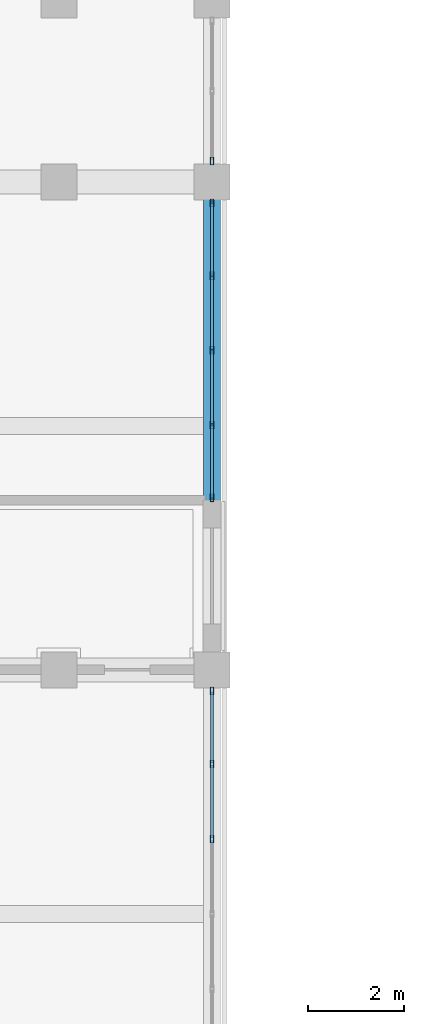
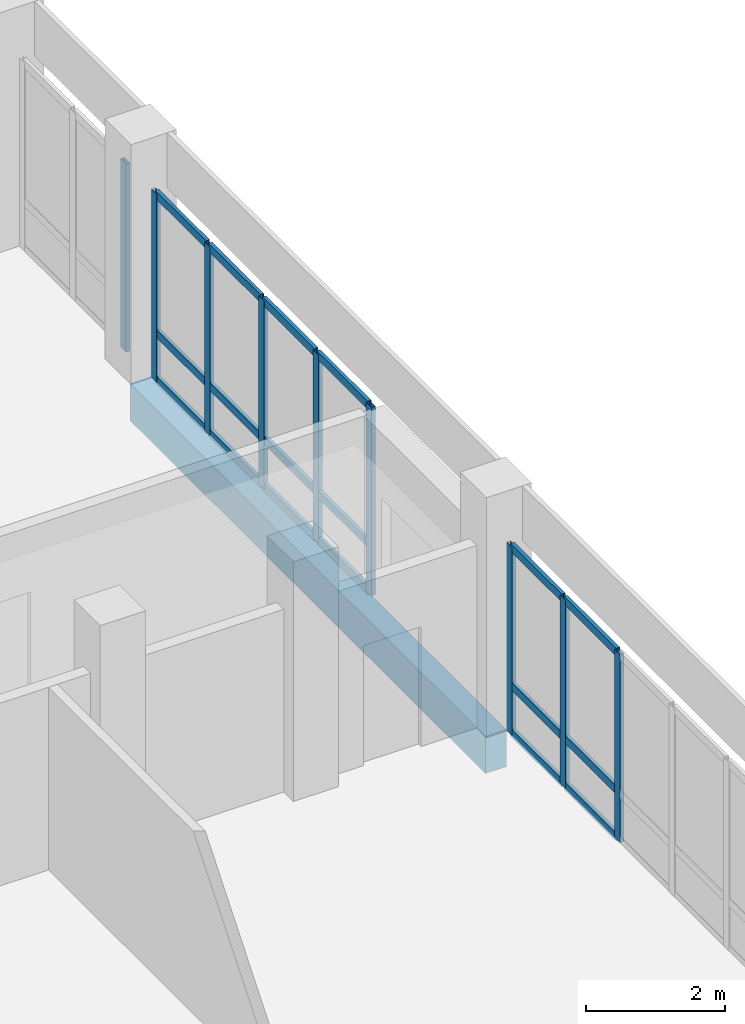
# One storey, part 24 of 170: 27 members, 1 beam, 3 elements without a shape of their own.
"""IFC4 building model written with IfcOpenShell, lengths in metres."""

from ifc_helpers import new_model, si_unit, direction, frame, origin, origin_2d, place, context, subcontext, project, spatial, rectangle, hollow_rectangle, extrude, material, material_profile, profile_set, type_object, element, aggregate, save


model = new_model("IFC4")

# Units and contexts
model_context = context("Model", 3, precision=1e-05, world=origin(), true_north=direction((0.0, 1.0)))
body_context = subcontext(model_context, "Body", "Model", "MODEL_VIEW")
ifc_project = project(units=[si_unit("LENGTHUNIT", "METRE"), si_unit("AREAUNIT", "SQUARE_METRE"), si_unit("VOLUMEUNIT", "CUBIC_METRE"), si_unit("PLANEANGLEUNIT", "RADIAN"), si_unit("MASSUNIT", "GRAM", prefix="KILO")], contexts=[model_context])

# Site, building, storey
site_placement = place(None, origin())
site = spatial("IfcSite", under=ifc_project, at=site_placement, CompositionType="ELEMENT")
building_placement = place(site_placement, origin())
building = spatial("IfcBuilding", under=site, at=building_placement, Name="Vondelvale Polytechnic", CompositionType="ELEMENT")
storey_placement = place(building_placement, frame((0.0, 0.0, 5.39990234375)))
storey = spatial("IfcBuildingStorey", under=building, at=storey_placement, Name="L01", CompositionType="ELEMENT", Elevation=5.39990234375)

# Curtain wall, members
ifc_material_1 = material(Name="Anodised extruded aluminium 6063-T6", Category="aluminium")
curtain_wall_type = type_object("IfcCurtainWallType", Name="CW-STUDIO-NORTH", PredefinedType="NOTDEFINED", material=ifc_material_1)
curtain_wall_1_placement = place(storey_placement, origin())
curtain_wall_1 = element("IfcCurtainWall", 1, at=curtain_wall_1_placement, inside=storey, type_object=curtain_wall_type, Name="L01 architectural curtain wall CW-01-008", PredefinedType="NOTDEFINED")
ifc_material_profile_1 = material_profile(ifc_material_1, hollow_rectangle(XDim=0.06494140625, YDim=0.159912109375, WallThickness=0.0048828125, at=origin_2d()), Name="CW-MUL-160x65")
ifc_profile_set_1 = profile_set([ifc_material_profile_1], Name="Anodised extruded aluminium 6063-T6")
member_type_1 = type_object("IfcMemberType", Name="CW-MUL-65x160", PredefinedType="MULLION", material=ifc_profile_set_1)
member_1_placement = place(storey_placement, frame((48.0, 16.864990234375, 0.0), z_axis=(0.0, 0.0, 1.0), x_axis=(-1.0, 0.0, 0.0)))
member_1 = element("IfcMember", 2, at=member_1_placement, type_object=member_type_1, Name="CW-01-008 mullion 5", PredefinedType="MULLION", context=body_context, shape_type="SweptSolid", body=[
    extrude(hollow_rectangle(XDim=0.06494140625, YDim=0.159912109375, WallThickness=0.0048828125, at=origin_2d()), origin(), (0.0, 0.0, 1.0), 3.300048828125),
])
member_2_placement = place(storey_placement, frame((48.0, 18.429931640625, 0.0), z_axis=(0.0, 0.0, 1.0), x_axis=(-1.0, 0.0, 0.0)))
member_2 = element("IfcMember", 3, at=member_2_placement, type_object=member_type_1, Name="CW-01-008 mullion 6", PredefinedType="MULLION", context=body_context, shape_type="SweptSolid", body=[
    extrude(hollow_rectangle(XDim=0.06494140625, YDim=0.159912109375, WallThickness=0.0048828125, at=origin_2d()), origin(), (0.0, 0.0, 1.0), 3.300048828125),
])
member_3_placement = place(storey_placement, frame((48.0, 19.96240234375, 0.0), z_axis=(0.0, 0.0, 1.0), x_axis=(-1.0, 0.0, 0.0)))
member_3 = element("IfcMember", 4, at=member_3_placement, type_object=member_type_1, Name="CW-01-008 mullion 7", PredefinedType="MULLION", context=body_context, shape_type="SweptSolid", body=[
    extrude(hollow_rectangle(XDim=0.06494140625, YDim=0.159912109375, WallThickness=0.0048828125, at=origin_2d()), origin(), (0.0, 0.0, 1.0), 3.300048828125),
])

curtain_wall_2_placement = place(storey_placement, origin())
curtain_wall_2 = element("IfcCurtainWall", 5, at=curtain_wall_2_placement, inside=storey, type_object=curtain_wall_type, Name="L01 architectural curtain wall CW-01-009", PredefinedType="NOTDEFINED")
member_4_placement = place(storey_placement, frame((48.0, 23.99755859375, 0.0), z_axis=(0.0, 0.0, 1.0), x_axis=(-1.0, 0.0, 0.0)))
member_4 = element("IfcMember", 6, at=member_4_placement, type_object=member_type_1, Name="CW-01-009 mullion 1", PredefinedType="MULLION", context=body_context, shape_type="SweptSolid", body=[
    extrude(hollow_rectangle(XDim=0.06494140625, YDim=0.159912109375, WallThickness=0.0048828125, at=origin_2d()), origin(), (0.0, 0.0, 1.0), 3.300048828125),
])
member_5_placement = place(storey_placement, frame((48.0, 25.5224609375, 0.0), z_axis=(0.0, 0.0, 1.0), x_axis=(-1.0, 0.0, 0.0)))
member_5 = element("IfcMember", 7, at=member_5_placement, type_object=member_type_1, Name="CW-01-009 mullion 2", PredefinedType="MULLION", context=body_context, shape_type="SweptSolid", body=[
    extrude(hollow_rectangle(XDim=0.06494140625, YDim=0.159912109375, WallThickness=0.0048828125, at=origin_2d()), origin(), (0.0, 0.0, 1.0), 3.300048828125),
])
member_6_placement = place(storey_placement, frame((48.0, 27.080078125, 0.0), z_axis=(0.0, 0.0, 1.0), x_axis=(-1.0, 0.0, 0.0)))
member_6 = element("IfcMember", 8, at=member_6_placement, type_object=member_type_1, Name="CW-01-009 mullion 3", PredefinedType="MULLION", context=body_context, shape_type="SweptSolid", body=[
    extrude(hollow_rectangle(XDim=0.06494140625, YDim=0.159912109375, WallThickness=0.0048828125, at=origin_2d()), origin(), (0.0, 0.0, 1.0), 3.300048828125),
])
member_7_placement = place(storey_placement, frame((48.0, 28.637451171875, 0.0), z_axis=(0.0, 0.0, 1.0), x_axis=(-1.0, 0.0, 0.0)))
member_7 = element("IfcMember", 9, at=member_7_placement, type_object=member_type_1, Name="CW-01-009 mullion 4", PredefinedType="MULLION", context=body_context, shape_type="SweptSolid", body=[
    extrude(hollow_rectangle(XDim=0.06494140625, YDim=0.159912109375, WallThickness=0.0048828125, at=origin_2d()), origin(), (0.0, 0.0, 1.0), 3.300048828125),
])
member_8_placement = place(storey_placement, frame((48.0, 30.16259765625, 0.0), z_axis=(0.0, 0.0, 1.0), x_axis=(-1.0, 0.0, 0.0)))
member_8 = element("IfcMember", 10, at=member_8_placement, type_object=member_type_1, Name="CW-01-009 mullion 5", PredefinedType="MULLION", context=body_context, shape_type="SweptSolid", body=[
    extrude(hollow_rectangle(XDim=0.06494140625, YDim=0.159912109375, WallThickness=0.0048828125, at=origin_2d()), origin(), (0.0, 0.0, 1.0), 3.300048828125),
])

# Curtain wall, member
curtain_wall_3_placement = place(storey_placement, origin())
curtain_wall_3 = element("IfcCurtainWall", 11, at=curtain_wall_3_placement, inside=storey, type_object=curtain_wall_type, Name="L01 architectural curtain wall CW-01-010", PredefinedType="NOTDEFINED")
member_9_placement = place(storey_placement, frame((48.0, 31.03759765625, 0.0), z_axis=(0.0, 0.0, 1.0), x_axis=(-1.0, 0.0, 0.0)))
member_9 = element("IfcMember", 12, at=member_9_placement, type_object=member_type_1, Name="CW-01-010 mullion 1", PredefinedType="MULLION", context=body_context, shape_type="SweptSolid", body=[
    extrude(hollow_rectangle(XDim=0.06494140625, YDim=0.159912109375, WallThickness=0.0048828125, at=origin_2d()), origin(), (0.0, 0.0, 1.0), 3.300048828125),
])
aggregate(curtain_wall_3, [member_9])

# Member
ifc_material_profile_2 = material_profile(ifc_material_1, hollow_rectangle(XDim=0.06005859375, YDim=0.139892578125, WallThickness=0.00341796875, at=origin_2d()), Name="CW-TRN-140x60")
ifc_profile_set_2 = profile_set([ifc_material_profile_2], Name="Anodised extruded aluminium 6063-T6")
member_type_2 = type_object("IfcMemberType", Name="CW-TRN-60x140", PredefinedType="USERDEFINED", material=ifc_profile_set_2)
member_10_placement = place(storey_placement, frame((48.0, 16.8974609375, 0.030029296875), z_axis=(0.0, 1.0, 0.0), x_axis=(-1.0, 0.0, 0.0)))
member_10 = element("IfcMember", 13, at=member_10_placement, type_object=member_type_2, Name="CW-01-008 transom 5.1", ObjectType="TRANSOM", PredefinedType="USERDEFINED", context=body_context, shape_type="SweptSolid", body=[
    extrude(hollow_rectangle(XDim=0.06005859375, YDim=0.139892578125, WallThickness=0.00341796875, at=origin_2d()), origin(), (0.0, 0.0, 1.0), 1.5),
])

member_11_placement = place(storey_placement, frame((48.0, 16.8974609375, 0.85009765625), z_axis=(0.0, 1.0, 0.0), x_axis=(-1.0, 0.0, 0.0)))
member_11 = element("IfcMember", 14, at=member_11_placement, type_object=member_type_2, Name="CW-01-008 transom 5.2", ObjectType="TRANSOM", PredefinedType="USERDEFINED", context=body_context, shape_type="SweptSolid", body=[
    extrude(hollow_rectangle(XDim=0.06005859375, YDim=0.139892578125, WallThickness=0.00341796875, at=origin_2d()), origin(), (0.0, 0.0, 1.0), 1.5),
])

member_12_placement = place(storey_placement, frame((48.0, 16.8974609375, 3.27001953125), z_axis=(0.0, 1.0, 0.0), x_axis=(-1.0, 0.0, 0.0)))
member_12 = element("IfcMember", 15, at=member_12_placement, type_object=member_type_2, Name="CW-01-008 transom 5.3", ObjectType="TRANSOM", PredefinedType="USERDEFINED", context=body_context, shape_type="SweptSolid", body=[
    extrude(hollow_rectangle(XDim=0.06005859375, YDim=0.139892578125, WallThickness=0.00341796875, at=origin_2d()), origin(), (0.0, 0.0, 1.0), 1.5),
])

member_13_placement = place(storey_placement, frame((48.0, 18.46240234375, 0.030029296875), z_axis=(0.0, 1.0, 0.0), x_axis=(-1.0, 0.0, 0.0)))
member_13 = element("IfcMember", 16, at=member_13_placement, type_object=member_type_2, Name="CW-01-008 transom 6.1", ObjectType="TRANSOM", PredefinedType="USERDEFINED", context=body_context, shape_type="SweptSolid", body=[
    extrude(hollow_rectangle(XDim=0.06005859375, YDim=0.139892578125, WallThickness=0.00341796875, at=origin_2d()), origin(), (0.0, 0.0, 1.0), 1.467529296875),
])

member_14_placement = place(storey_placement, frame((48.0, 18.46240234375, 0.85009765625), z_axis=(0.0, 1.0, 0.0), x_axis=(-1.0, 0.0, 0.0)))
member_14 = element("IfcMember", 17, at=member_14_placement, type_object=member_type_2, Name="CW-01-008 transom 6.2", ObjectType="TRANSOM", PredefinedType="USERDEFINED", context=body_context, shape_type="SweptSolid", body=[
    extrude(hollow_rectangle(XDim=0.06005859375, YDim=0.139892578125, WallThickness=0.00341796875, at=origin_2d()), origin(), (0.0, 0.0, 1.0), 1.467529296875),
])

member_15_placement = place(storey_placement, frame((48.0, 18.46240234375, 3.27001953125), z_axis=(0.0, 1.0, 0.0), x_axis=(-1.0, 0.0, 0.0)))
member_15 = element("IfcMember", 18, at=member_15_placement, type_object=member_type_2, Name="CW-01-008 transom 6.3", ObjectType="TRANSOM", PredefinedType="USERDEFINED", context=body_context, shape_type="SweptSolid", body=[
    extrude(hollow_rectangle(XDim=0.06005859375, YDim=0.139892578125, WallThickness=0.00341796875, at=origin_2d()), origin(), (0.0, 0.0, 1.0), 1.467529296875),
])

aggregate(curtain_wall_1, [member_1, member_2, member_3, member_10, member_11, member_12, member_13, member_14, member_15])

member_16_placement = place(storey_placement, frame((48.0, 24.030029296875, 0.030029296875), z_axis=(0.0, 1.0, 0.0), x_axis=(-1.0, 0.0, 0.0)))
member_16 = element("IfcMember", 19, at=member_16_placement, type_object=member_type_2, Name="CW-01-009 transom 1.1", ObjectType="TRANSOM", PredefinedType="USERDEFINED", context=body_context, shape_type="SweptSolid", body=[
    extrude(hollow_rectangle(XDim=0.06005859375, YDim=0.139892578125, WallThickness=0.00341796875, at=origin_2d()), origin(), (0.0, 0.0, 1.0), 1.4599609375),
])

member_17_placement = place(storey_placement, frame((48.0, 24.030029296875, 0.85009765625), z_axis=(0.0, 1.0, 0.0), x_axis=(-1.0, 0.0, 0.0)))
member_17 = element("IfcMember", 20, at=member_17_placement, type_object=member_type_2, Name="CW-01-009 transom 1.2", ObjectType="TRANSOM", PredefinedType="USERDEFINED", context=body_context, shape_type="SweptSolid", body=[
    extrude(hollow_rectangle(XDim=0.06005859375, YDim=0.139892578125, WallThickness=0.00341796875, at=origin_2d()), origin(), (0.0, 0.0, 1.0), 1.4599609375),
])

member_18_placement = place(storey_placement, frame((48.0, 24.030029296875, 3.27001953125), z_axis=(0.0, 1.0, 0.0), x_axis=(-1.0, 0.0, 0.0)))
member_18 = element("IfcMember", 21, at=member_18_placement, type_object=member_type_2, Name="CW-01-009 transom 1.3", ObjectType="TRANSOM", PredefinedType="USERDEFINED", context=body_context, shape_type="SweptSolid", body=[
    extrude(hollow_rectangle(XDim=0.06005859375, YDim=0.139892578125, WallThickness=0.00341796875, at=origin_2d()), origin(), (0.0, 0.0, 1.0), 1.4599609375),
])

member_19_placement = place(storey_placement, frame((48.0, 25.554931640625, 0.030029296875), z_axis=(0.0, 1.0, 0.0), x_axis=(-1.0, 0.0, 0.0)))
member_19 = element("IfcMember", 22, at=member_19_placement, type_object=member_type_2, Name="CW-01-009 transom 2.1", ObjectType="TRANSOM", PredefinedType="USERDEFINED", context=body_context, shape_type="SweptSolid", body=[
    extrude(hollow_rectangle(XDim=0.06005859375, YDim=0.139892578125, WallThickness=0.00341796875, at=origin_2d()), origin(), (0.0, 0.0, 1.0), 1.49267578125),
])

member_20_placement = place(storey_placement, frame((48.0, 25.554931640625, 0.85009765625), z_axis=(0.0, 1.0, 0.0), x_axis=(-1.0, 0.0, 0.0)))
member_20 = element("IfcMember", 23, at=member_20_placement, type_object=member_type_2, Name="CW-01-009 transom 2.2", ObjectType="TRANSOM", PredefinedType="USERDEFINED", context=body_context, shape_type="SweptSolid", body=[
    extrude(hollow_rectangle(XDim=0.06005859375, YDim=0.139892578125, WallThickness=0.00341796875, at=origin_2d()), origin(), (0.0, 0.0, 1.0), 1.49267578125),
])

member_21_placement = place(storey_placement, frame((48.0, 25.554931640625, 3.27001953125), z_axis=(0.0, 1.0, 0.0), x_axis=(-1.0, 0.0, 0.0)))
member_21 = element("IfcMember", 24, at=member_21_placement, type_object=member_type_2, Name="CW-01-009 transom 2.3", ObjectType="TRANSOM", PredefinedType="USERDEFINED", context=body_context, shape_type="SweptSolid", body=[
    extrude(hollow_rectangle(XDim=0.06005859375, YDim=0.139892578125, WallThickness=0.00341796875, at=origin_2d()), origin(), (0.0, 0.0, 1.0), 1.49267578125),
])

member_22_placement = place(storey_placement, frame((48.0, 27.112548828125, 0.030029296875), z_axis=(0.0, 1.0, 0.0), x_axis=(-1.0, 0.0, 0.0)))
member_22 = element("IfcMember", 25, at=member_22_placement, type_object=member_type_2, Name="CW-01-009 transom 3.1", ObjectType="TRANSOM", PredefinedType="USERDEFINED", context=body_context, shape_type="SweptSolid", body=[
    extrude(hollow_rectangle(XDim=0.06005859375, YDim=0.139892578125, WallThickness=0.00341796875, at=origin_2d()), origin(), (0.0, 0.0, 1.0), 1.492431640625),
])

member_23_placement = place(storey_placement, frame((48.0, 27.112548828125, 0.85009765625), z_axis=(0.0, 1.0, 0.0), x_axis=(-1.0, 0.0, 0.0)))
member_23 = element("IfcMember", 26, at=member_23_placement, type_object=member_type_2, Name="CW-01-009 transom 3.2", ObjectType="TRANSOM", PredefinedType="USERDEFINED", context=body_context, shape_type="SweptSolid", body=[
    extrude(hollow_rectangle(XDim=0.06005859375, YDim=0.139892578125, WallThickness=0.00341796875, at=origin_2d()), origin(), (0.0, 0.0, 1.0), 1.492431640625),
])

member_24_placement = place(storey_placement, frame((48.0, 27.112548828125, 3.27001953125), z_axis=(0.0, 1.0, 0.0), x_axis=(-1.0, 0.0, 0.0)))
member_24 = element("IfcMember", 27, at=member_24_placement, type_object=member_type_2, Name="CW-01-009 transom 3.3", ObjectType="TRANSOM", PredefinedType="USERDEFINED", context=body_context, shape_type="SweptSolid", body=[
    extrude(hollow_rectangle(XDim=0.06005859375, YDim=0.139892578125, WallThickness=0.00341796875, at=origin_2d()), origin(), (0.0, 0.0, 1.0), 1.492431640625),
])

member_25_placement = place(storey_placement, frame((48.0, 28.669921875, 0.030029296875), z_axis=(0.0, 1.0, 0.0), x_axis=(-1.0, 0.0, 0.0)))
member_25 = element("IfcMember", 28, at=member_25_placement, type_object=member_type_2, Name="CW-01-009 transom 4.1", ObjectType="TRANSOM", PredefinedType="USERDEFINED", context=body_context, shape_type="SweptSolid", body=[
    extrude(hollow_rectangle(XDim=0.06005859375, YDim=0.139892578125, WallThickness=0.00341796875, at=origin_2d()), origin(), (0.0, 0.0, 1.0), 1.4599609375),
])

member_26_placement = place(storey_placement, frame((48.0, 28.669921875, 0.85009765625), z_axis=(0.0, 1.0, 0.0), x_axis=(-1.0, 0.0, 0.0)))
member_26 = element("IfcMember", 29, at=member_26_placement, type_object=member_type_2, Name="CW-01-009 transom 4.2", ObjectType="TRANSOM", PredefinedType="USERDEFINED", context=body_context, shape_type="SweptSolid", body=[
    extrude(hollow_rectangle(XDim=0.06005859375, YDim=0.139892578125, WallThickness=0.00341796875, at=origin_2d()), origin(), (0.0, 0.0, 1.0), 1.4599609375),
])

member_27_placement = place(storey_placement, frame((48.0, 28.669921875, 3.27001953125), z_axis=(0.0, 1.0, 0.0), x_axis=(-1.0, 0.0, 0.0)))
member_27 = element("IfcMember", 30, at=member_27_placement, type_object=member_type_2, Name="CW-01-009 transom 4.3", ObjectType="TRANSOM", PredefinedType="USERDEFINED", context=body_context, shape_type="SweptSolid", body=[
    extrude(hollow_rectangle(XDim=0.06005859375, YDim=0.139892578125, WallThickness=0.00341796875, at=origin_2d()), origin(), (0.0, 0.0, 1.0), 1.4599609375),
])

aggregate(curtain_wall_2, [member_4, member_5, member_6, member_7, member_8, member_16, member_17, member_18, member_19, member_20, member_21, member_22, member_23, member_24, member_25, member_26, member_27])

# Beam
ifc_material_2 = material(Name="Precast concrete N40 (f'c = 40 MPa)", Category="concrete")
ifc_material_profile_3 = material_profile(ifc_material_2, rectangle(XDim=0.35009765625, YDim=0.64990234375, at=origin_2d()), Name="RC-SPN-350x650")
ifc_profile_set_3 = profile_set([ifc_material_profile_3], Name="Precast concrete N40 (f'c = 40 MPa)")
beam_type = type_object("IfcBeamType", Name="SPN-PRE350x650", PredefinedType="SPANDREL", material=ifc_profile_set_3)
beam_placement = place(storey_placement, frame((48.0, 20.39990234375, -0.60498046875), z_axis=(0.0, 1.0, 0.0), x_axis=(-1.0, 0.0, 0.0)))
element("IfcBeam", 31, at=beam_placement, inside=storey, type_object=beam_type, Name="L01 B SP-02", PredefinedType="SPANDREL", context=body_context, shape_type="SweptSolid", body=[
    extrude(rectangle(XDim=0.35009765625, YDim=0.64990234375, at=origin_2d()), origin(), (0.0, 0.0, 1.0), 10.2001953125),
])

save(model, "model.ifc")
